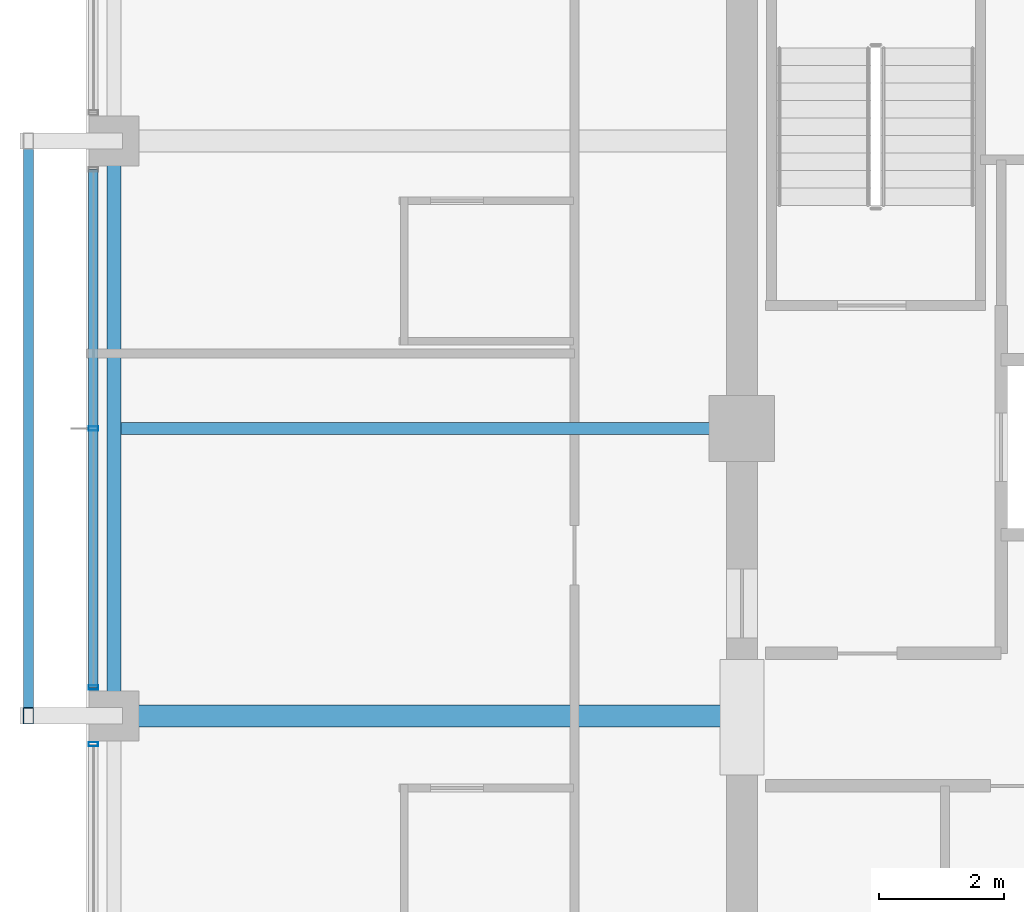
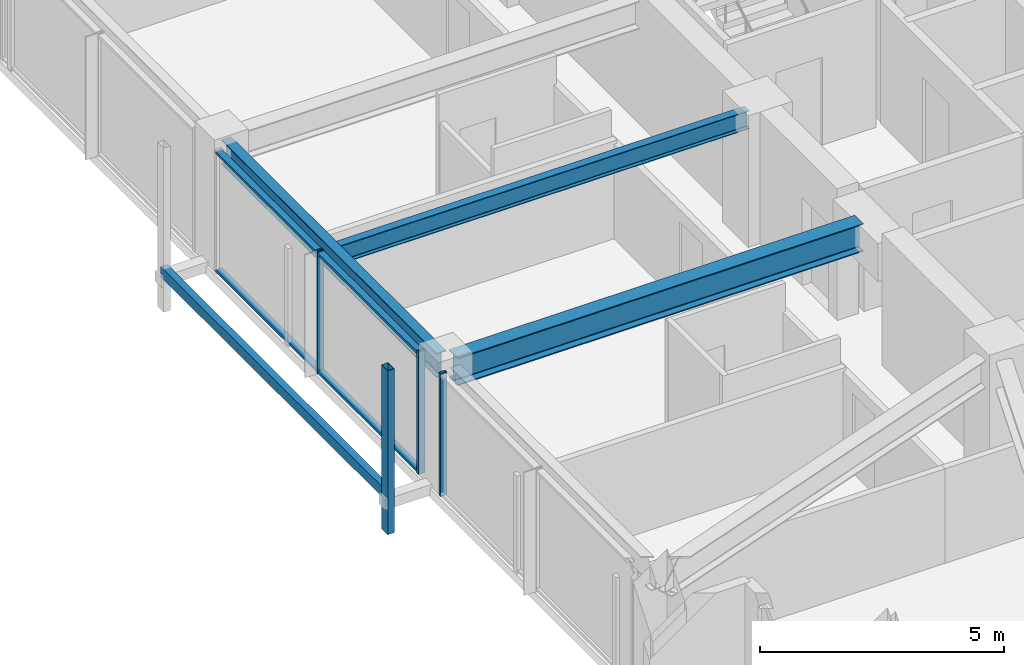
# One storey, part 8 of 38: 7 members, 3 beams, 2 elements without a shape of their own.
"""IFC4 building model written with IfcOpenShell, lengths in metres."""

from ifc_helpers import new_model, si_unit, direction, frame, origin, origin_2d, place, context, subcontext, project, spatial, hollow_rectangle, i_section, extrude, material, material_profile, profile_set, type_object, element, aggregate, save


model = new_model("IFC4")

# Units and contexts
model_context = context("Model", 3, precision=1e-05, world=origin(), true_north=direction((0.0, 1.0)))
body_context = subcontext(model_context, "Body", "Model", "MODEL_VIEW")
ifc_project = project(units=[si_unit("LENGTHUNIT", "METRE"), si_unit("AREAUNIT", "SQUARE_METRE"), si_unit("VOLUMEUNIT", "CUBIC_METRE"), si_unit("PLANEANGLEUNIT", "RADIAN"), si_unit("MASSUNIT", "GRAM", prefix="KILO")], contexts=[model_context])

# Site, building, storey
site_placement = place(None, origin())
site = spatial("IfcSite", under=ifc_project, at=site_placement, CompositionType="ELEMENT")
building_placement = place(site_placement, origin())
building = spatial("IfcBuilding", under=site, at=building_placement, Name="Kolvaren Belvedere", CompositionType="ELEMENT")
storey_placement = place(building_placement, frame((0.0, 0.0, 206.39990234375)))
storey = spatial("IfcBuildingStorey", under=building, at=storey_placement, Name="L60", CompositionType="ELEMENT", Elevation=206.39990234375)

# Beams
ifc_material_1 = material(Name="Structural steel ASTM A992 Grade 50", Category="steel")
ifc_material_profile_1 = material_profile(ifc_material_1, i_section(OverallWidth=0.35498046875, OverallDepth=0.696044921875, WebThickness=0.015380859375, FlangeThickness=0.02490234375, FilletRadius=0.02197265625, at=origin_2d()), Name="W27X146")
ifc_profile_set_1 = profile_set([ifc_material_profile_1], Name="Structural steel ASTM A992 Grade 50")
beam_type_1 = type_object("IfcBeamType", Name="BM-GIRD-W27X146", PredefinedType="BEAM", material=ifc_profile_set_1)
beam_1_placement = place(storey_placement, frame((-10.14990234375, -4.60009765625, 2.732177734375), z_axis=(-1.0, 0.0, 0.0), x_axis=(0.0, -1.0, 0.0)))
element("IfcBeam", 1, at=beam_1_placement, inside=storey, type_object=beam_type_1, Name="L60 West Radial Girder M", PredefinedType="BEAM", context=body_context, shape_type="SweptSolid", body=[
    extrude(i_section(OverallWidth=0.35498046875, OverallDepth=0.696044921875, WebThickness=0.015380859375, FlangeThickness=0.02490234375, FilletRadius=0.02197265625, at=origin_2d()), origin(), (0.0, 0.0, 1.0), 9.6201171875),
])
ifc_material_2 = material(Name="Structural steel ASTM A992 Grade 50", Category="steel")
ifc_material_profile_2 = material_profile(ifc_material_2, i_section(OverallWidth=0.19091796875, OverallDepth=0.4599609375, WebThickness=0.010009765625, FlangeThickness=0.01611328125, FilletRadius=0.014892578125, at=origin_2d()), Name="W18X55")
ifc_profile_set_2 = profile_set([ifc_material_profile_2], Name="Structural steel ASTM A992 Grade 50")
beam_type_2 = type_object("IfcBeamType", Name="BM-JOIST-W18X55", PredefinedType="BEAM", material=ifc_profile_set_2)
beam_2_placement = place(storey_placement, frame((-10.14990234375, 0.0, 2.85009765625), z_axis=(-1.0, 0.0, 0.0), x_axis=(0.0, -1.0, 0.0)))
element("IfcBeam", 2, at=beam_2_placement, inside=storey, type_object=beam_type_2, Name="L60 West Centre Floor Beam", PredefinedType="BEAM", context=body_context, shape_type="SweptSolid", body=[
    extrude(i_section(OverallWidth=0.19091796875, OverallDepth=0.4599609375, WebThickness=0.010009765625, FlangeThickness=0.01611328125, FilletRadius=0.014892578125, at=origin_2d()), origin(), (0.0, 0.0, 1.0), 9.685546875),
])
ifc_material_3 = material(Name="Structural steel ASTM A992 Grade 50", Category="steel")
ifc_material_profile_3 = material_profile(ifc_material_3, i_section(OverallWidth=0.22900390625, OverallDepth=0.612060546875, WebThickness=0.011962890625, FlangeThickness=0.01953125, FilletRadius=0.01806640625, at=origin_2d()), Name="W24X84")
ifc_profile_set_3 = profile_set([ifc_material_profile_3], Name="Structural steel ASTM A992 Grade 50")
beam_type_3 = type_object("IfcBeamType", Name="BM-SPAN-W24X84", PredefinedType="SPANDREL", material=ifc_profile_set_3)
beam_3_placement = place(storey_placement, frame((-19.949951171875, 4.419921875, 2.774169921875), z_axis=(0.0, -1.0, 0.0), x_axis=(1.0, 0.0, 0.0)))
element("IfcBeam", 3, at=beam_3_placement, inside=storey, type_object=beam_type_3, Name="L60 Perimeter Spandrel W3-W2", PredefinedType="SPANDREL", context=body_context, shape_type="SweptSolid", body=[
    extrude(i_section(OverallWidth=0.22900390625, OverallDepth=0.612060546875, WebThickness=0.011962890625, FlangeThickness=0.01953125, FilletRadius=0.01806640625, at=origin_2d()), origin(), (0.0, 0.0, 1.0), 8.83984375),
])

# Curtain wall, member
ifc_material_4 = material(Name="Anodised pale-metal aluminium AA 6063-T6", Category="aluminium")
curtain_wall_type = type_object("IfcCurtainWallType", Name="CW-Z5-HIGH", PredefinedType="NOTDEFINED", material=ifc_material_4)
curtain_wall_1_placement = place(storey_placement, origin())
curtain_wall_1 = element("IfcCurtainWall", 4, at=curtain_wall_1_placement, inside=storey, type_object=curtain_wall_type, Name="L60 Unitised Curtain Wall FCW-L60-W-B1", PredefinedType="NOTDEFINED")
ifc_material_5 = material(Name="Anodised pale-metal aluminium AA 6063-T6", Category="aluminium")
ifc_material_profile_4 = material_profile(ifc_material_5, hollow_rectangle(XDim=0.070068359375, YDim=0.14990234375, WallThickness=0.004150390625, at=origin_2d()), Name="ALU-MUL-150X70")
ifc_profile_set_4 = profile_set([ifc_material_profile_4], Name="Anodised pale-metal aluminium AA 6063-T6")
member_type_1 = type_object("IfcMemberType", Name="CW-MUL-150", PredefinedType="MULLION", material=ifc_profile_set_4)
member_1_placement = place(storey_placement, frame((-20.280029296875, -5.054931640625, 0.0), z_axis=(0.0, 0.0, 1.0), x_axis=(0.0, 1.0, 0.0)))
member_1 = element("IfcMember", 5, at=member_1_placement, type_object=member_type_1, Name="FCW-L60-W-B1 Unitised Mullion 3", PredefinedType="MULLION", context=body_context, shape_type="SweptSolid", body=[
    extrude(hollow_rectangle(XDim=0.070068359375, YDim=0.14990234375, WallThickness=0.004150390625, at=origin_2d()), origin(), (0.0, 0.0, 1.0), 3.080078125),
])
aggregate(curtain_wall_1, [member_1])

# Curtain wall, members
curtain_wall_2_placement = place(storey_placement, origin())
curtain_wall_2 = element("IfcCurtainWall", 6, at=curtain_wall_2_placement, inside=storey, type_object=curtain_wall_type, Name="L60 Unitised Curtain Wall FCW-L60-W-B2", PredefinedType="NOTDEFINED")
member_2_placement = place(storey_placement, frame((-20.280029296875, -4.14501953125, 0.0), z_axis=(0.0, 0.0, 1.0), x_axis=(0.0, 1.0, 0.0)))
member_2 = element("IfcMember", 7, at=member_2_placement, type_object=member_type_1, Name="FCW-L60-W-B2 Unitised Mullion 1", PredefinedType="MULLION", context=body_context, shape_type="SweptSolid", body=[
    extrude(hollow_rectangle(XDim=0.070068359375, YDim=0.14990234375, WallThickness=0.004150390625, at=origin_2d()), origin(), (0.0, 0.0, 1.0), 3.080078125),
])
member_3_placement = place(storey_placement, frame((-20.280029296875, 0.0, 0.0), z_axis=(0.0, 0.0, 1.0), x_axis=(0.0, 1.0, 0.0)))
member_3 = element("IfcMember", 8, at=member_3_placement, type_object=member_type_1, Name="FCW-L60-W-B2 Unitised Mullion 2", PredefinedType="MULLION", context=body_context, shape_type="SweptSolid", body=[
    extrude(hollow_rectangle(XDim=0.070068359375, YDim=0.14990234375, WallThickness=0.004150390625, at=origin_2d()), origin(), (0.0, 0.0, 1.0), 3.080078125),
])
ifc_material_6 = material(Name="Anodised pale-metal aluminium AA 6063-T6", Category="aluminium")
ifc_material_profile_5 = material_profile(ifc_material_6, hollow_rectangle(XDim=0.06494140625, YDim=0.14990234375, WallThickness=0.00390625, at=origin_2d()), Name="ALU-TRN-150X65")
ifc_profile_set_5 = profile_set([ifc_material_profile_5], Name="Anodised pale-metal aluminium AA 6063-T6")
member_type_2 = type_object("IfcMemberType", Name="CW-TRN-150", PredefinedType="USERDEFINED", material=ifc_profile_set_5)
member_4_placement = place(storey_placement, frame((-20.280029296875, -4.14501953125, 0.06005859375), z_axis=(0.0, 1.0, 0.0), x_axis=(0.0, 0.0, 1.0)))
member_4 = element("IfcMember", 9, at=member_4_placement, type_object=member_type_2, Name="FCW-L60-W-B2 Sill Transom", ObjectType="TRANSOM", PredefinedType="USERDEFINED", context=body_context, shape_type="SweptSolid", body=[
    extrude(hollow_rectangle(XDim=0.06494140625, YDim=0.14990234375, WallThickness=0.00390625, at=origin_2d()), origin(), (0.0, 0.0, 1.0), 8.2900390625),
])
member_5_placement = place(storey_placement, frame((-20.280029296875, -4.14501953125, 3.02001953125), z_axis=(0.0, 1.0, 0.0), x_axis=(0.0, 0.0, 1.0)))
member_5 = element("IfcMember", 10, at=member_5_placement, type_object=member_type_2, Name="FCW-L60-W-B2 Head Transom", ObjectType="TRANSOM", PredefinedType="USERDEFINED", context=body_context, shape_type="SweptSolid", body=[
    extrude(hollow_rectangle(XDim=0.06494140625, YDim=0.14990234375, WallThickness=0.00390625, at=origin_2d()), origin(), (0.0, 0.0, 1.0), 8.2900390625),
])
aggregate(curtain_wall_2, [member_2, member_3, member_4, member_5])

# Members
ifc_material_7 = material(Name="Anodised pale-metal aluminium AA 6063-T6", Category="aluminium")
ifc_material_profile_6 = material_profile(ifc_material_7, hollow_rectangle(XDim=0.159912109375, YDim=0.260009765625, WallThickness=0.006591796875, at=origin_2d()), Name="ALU-PF-260X160")
ifc_profile_set_6 = profile_set([ifc_material_profile_6], Name="Anodised pale-metal aluminium AA 6063-T6")
member_type_3 = type_object("IfcMemberType", Name="PF-FRAME-260", PredefinedType="USERDEFINED", material=ifc_profile_set_6)
member_6_placement = place(storey_placement, frame((-21.320068359375, -4.60009765625, -0.809814453125), z_axis=(0.0, 0.0, 1.0), x_axis=(1.0, 0.0, 0.0)))
element("IfcMember", 11, at=member_6_placement, inside=storey, type_object=member_type_3, Name="L60 Outboard Picture-Frame Vertical W1", ObjectType="PICTURE FRAME FIN", PredefinedType="USERDEFINED", context=body_context, shape_type="SweptSolid", body=[
    extrude(hollow_rectangle(XDim=0.159912109375, YDim=0.260009765625, WallThickness=0.006591796875, at=origin_2d()), origin(), (0.0, 0.0, 1.0), 4.10986328125),
])
member_7_placement = place(storey_placement, frame((-21.320068359375, -4.60009765625, 0.130126953125), z_axis=(0.0, 1.0, 0.0), x_axis=(-1.0, 0.0, 0.0)))
element("IfcMember", 12, at=member_7_placement, inside=storey, type_object=member_type_3, Name="L60 Outboard Picture-Frame Sill W", ObjectType="PICTURE FRAME FIN", PredefinedType="USERDEFINED", context=body_context, shape_type="SweptSolid", body=[
    extrude(hollow_rectangle(XDim=0.159912109375, YDim=0.260009765625, WallThickness=0.006591796875, at=origin_2d()), origin(), (0.0, 0.0, 1.0), 9.2001953125),
])

save(model, "model.ifc")
